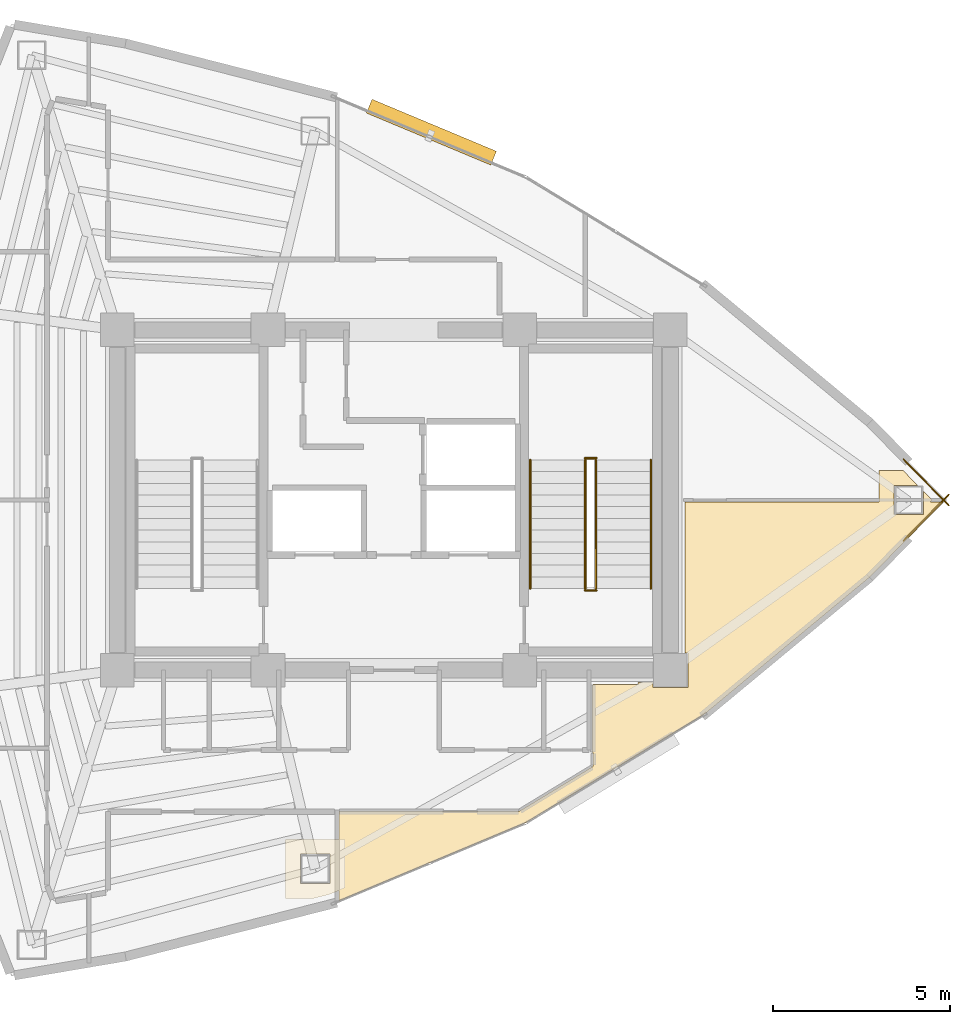
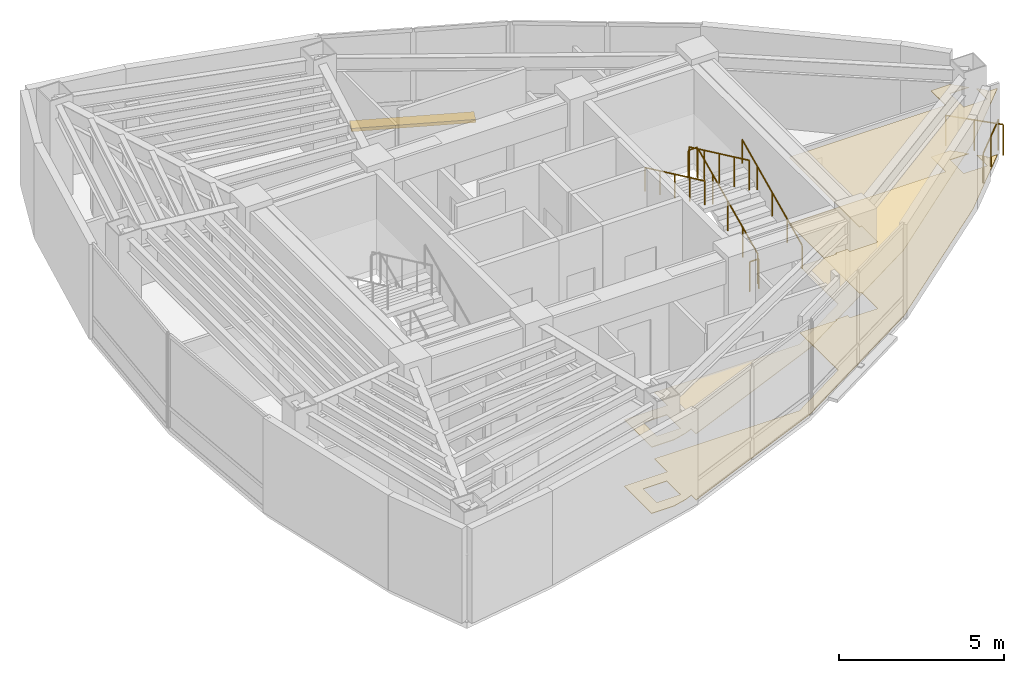
# One storey, part 15 of 15: 8 railings, 2 coverings, 1 shading device.
"""IFC4 building model written with IfcOpenShell, lengths in metres."""

from ifc_helpers import new_model, si_unit, direction, frame, origin, origin_2d, place, context, subcontext, project, spatial, polyline, rectangle, circle, outline, extrude, material, layer, layer_set, type_object, element, save


model = new_model("IFC4")

# Units and contexts
model_context = context("Model", 3, precision=1e-05, world=origin(), true_north=direction((0.0, 1.0)))
body_context = subcontext(model_context, "Body", "Model", "MODEL_VIEW")
ifc_project = project(units=[si_unit("LENGTHUNIT", "METRE"), si_unit("AREAUNIT", "SQUARE_METRE"), si_unit("VOLUMEUNIT", "CUBIC_METRE"), si_unit("PLANEANGLEUNIT", "RADIAN"), si_unit("MASSUNIT", "GRAM", prefix="KILO")], contexts=[model_context])

# Site, building, storey
site_placement = place(None, origin())
site = spatial("IfcSite", under=ifc_project, at=site_placement, CompositionType="ELEMENT")
building_placement = place(site_placement, origin())
building = spatial("IfcBuilding", under=site, at=building_placement, Name="Menara Vayukalpa", CompositionType="ELEMENT")
storey_placement = place(building_placement, frame((0.0, 0.0, 291.780029296875)))
storey = spatial("IfcBuildingStorey", under=building, at=storey_placement, Name="L74", CompositionType="ELEMENT", Elevation=291.780029296875)

# Coverings
ifc_material_1 = material(Name="Mineral Fibre Acoustic Ceiling Tile", Category="masonry")
ifc_layer_1 = layer(ifc_material_1, 0.02490234375)
ifc_layer_set_1 = layer_set([ifc_layer_1], Name="Mineral Fibre Acoustic Ceiling Tile")
covering_type_1 = type_object("IfcCoveringType", Name="COV-CLG1", PredefinedType="CEILING", material=ifc_layer_set_1)
covering_1_placement = place(storey_placement, frame((0.0, 0.0, 2.449951171875)))
element("IfcCovering", 1, at=covering_1_placement, inside=storey, type_object=covering_type_1, Name="L74 Visitor Reception Lounge Acoustic Ceiling", PredefinedType="CEILING", context=body_context, shape_type="SweptSolid", body=[
    extrude(outline(polyline([(24.06005859375, 13.2099609375), (24.06005859375, 13.2109375), (24.060302734375, 13.2119140625), (24.060302734375, 13.212890625), (24.060791015625, 13.2138671875), (24.061279296875, 13.214599609375), (24.061767578125, 13.215576171875), (24.062255859375, 13.21630859375), (24.06298828125, 13.217041015625), (24.063720703125, 13.2177734375), (24.064453125, 13.21826171875), (24.065185546875, 13.21875), (24.066162109375, 13.21923828125), (24.067138671875, 13.219482421875), (24.068115234375, 13.2197265625), (24.069091796875, 13.219970703125), (24.070068359375, 13.219970703125), (29.109619140625, 13.219970703125), (29.11669921875, 13.220458984375), (29.12353515625, 13.221435546875), (29.13037109375, 13.22314453125), (29.13720703125, 13.2255859375), (29.153076171875, 13.232177734375), (29.157958984375, 13.234375), (29.16259765625, 13.237060546875), (31.18603515625, 14.46630859375), (31.1923828125, 14.470458984375), (31.19775390625, 14.47509765625), (31.20263671875, 14.480224609375), (31.20703125, 14.48583984375), (31.2109375, 14.491943359375), (31.214111328125, 14.498291015625), (31.216552734375, 14.5048828125), (31.218505859375, 14.511962890625), (31.219482421875, 14.51904296875), (31.219970703125, 14.5263671875), (31.219970703125, 14.849609375), (31.219482421875, 14.856689453125), (31.21875, 14.86376953125), (31.217041015625, 14.870361328125), (31.214599609375, 14.876708984375), (31.2119140625, 14.8828125), (31.211669921875, 14.883056640625), (31.211181640625, 14.8837890625), (31.210693359375, 14.884765625), (31.21044921875, 14.8857421875), (31.210205078125, 14.88671875), (31.2099609375, 14.8876953125), (31.2099609375, 14.888671875), (31.2099609375, 16.780029296875), (31.2099609375, 16.781005859375), (31.210205078125, 16.781982421875), (31.21044921875, 16.782958984375), (31.210693359375, 16.78369140625), (31.211181640625, 16.78466796875), (31.211669921875, 16.78564453125), (31.21240234375, 16.786376953125), (31.212890625, 16.787109375), (31.213623046875, 16.78759765625), (31.21435546875, 16.788330078125), (31.21533203125, 16.788818359375), (31.21630859375, 16.789306640625), (31.217041015625, 16.78955078125), (31.218017578125, 16.789794921875), (31.218994140625, 16.7900390625), (31.219970703125, 16.7900390625), (32.489990234375, 16.7900390625), (32.489990234375, 16.85009765625), (32.909912109375, 16.85009765625), (32.909912109375, 16.7099609375), (33.889892578125, 16.7099609375), (33.889892578125, 17.68994140625), (33.81005859375, 17.68994140625), (33.81005859375, 21.929931640625), (33.81005859375, 21.930908203125), (33.810302734375, 21.931884765625), (33.810302734375, 21.932861328125), (33.810791015625, 21.933837890625), (33.811279296875, 21.934814453125), (33.811767578125, 21.935546875), (33.812255859375, 21.936279296875), (33.81298828125, 21.93701171875), (33.813720703125, 21.937744140625), (33.814453125, 21.938232421875), (33.815185546875, 21.938720703125), (33.816162109375, 21.939208984375), (33.817138671875, 21.939697265625), (33.818115234375, 21.939697265625), (33.819091796875, 21.93994140625), (33.820068359375, 21.93994140625), (39.286865234375, 21.93994140625), (39.286865234375, 22.8349609375), (39.959716796875, 22.8349609375), (40.3720703125, 22.4150390625), (39.706787109375, 22.4150390625), (39.706787109375, 21.5849609375), (40.536865234375, 21.5849609375), (40.536865234375, 22.2470703125), (40.779541015625, 22.0), (40.720703125, 21.93994140625), (41.0751953125, 21.93994140625), (41.076171875, 21.93994140625), (41.076904296875, 21.939697265625), (41.077880859375, 21.939697265625), (41.078857421875, 21.939208984375), (41.079833984375, 21.938720703125), (41.08056640625, 21.938232421875), (41.081298828125, 21.937744140625), (41.08203125, 21.93701171875), (41.082763671875, 21.936279296875), (41.08349609375, 21.935546875), (41.083984375, 21.934814453125), (41.084228515625, 21.933837890625), (41.084716796875, 21.93310546875), (41.0849609375, 21.931884765625), (41.0849609375, 21.930908203125), (41.085205078125, 21.93017578125), (41.085205078125, 21.92919921875), (41.0849609375, 21.927978515625), (41.084716796875, 21.92724609375), (41.08447265625, 21.92626953125), (41.083984375, 21.92529296875), (41.08349609375, 21.924560546875), (41.0830078125, 21.923583984375), (41.082275390625, 21.923095703125), (39.021240234375, 19.82373046875), (39.0205078125, 19.822998046875), (34.374755859375, 15.97021484375), (34.37353515625, 15.969482421875), (29.3271484375, 12.904052734375), (29.326416015625, 12.90380859375), (29.32568359375, 12.9033203125), (24.073974609375, 10.70654296875), (24.072998046875, 10.7060546875), (24.072021484375, 10.705810546875), (24.071044921875, 10.705810546875), (24.070068359375, 10.705810546875), (24.069091796875, 10.705810546875), (24.068115234375, 10.705810546875), (24.067138671875, 10.7060546875), (24.066162109375, 10.70654296875), (24.065185546875, 10.706787109375), (24.064453125, 10.70751953125), (24.063720703125, 10.7080078125), (24.06298828125, 10.70849609375), (24.062255859375, 10.709228515625), (24.061767578125, 10.710205078125), (24.061279296875, 10.7109375), (24.060791015625, 10.7119140625), (24.060302734375, 10.712890625), (24.060302734375, 10.713623046875), (24.06005859375, 10.714599609375), (24.06005859375, 10.7158203125), (24.06005859375, 10.993408203125), (23.7919921875, 10.881103515625), (23.3173828125, 10.76025390625), (22.546875, 10.76025390625), (22.546875, 12.43017578125), (24.06005859375, 12.43017578125), (24.06005859375, 13.2099609375)]), holes=[polyline([(23.796875, 12.01025390625), (22.966796875, 12.01025390625), (22.966796875, 11.18017578125), (23.796875, 11.18017578125), (23.796875, 12.01025390625)])]), origin(), (0.0, 0.0, 1.0), 0.02490234375),
])
ifc_material_2 = material(Name="Porcelain Stoneware Floor Tile", Category="masonry")
ifc_layer_2 = layer(ifc_material_2, 0.02001953125)
ifc_layer_set_2 = layer_set([ifc_layer_2], Name="Porcelain Stoneware Floor Tile")
covering_type_2 = type_object("IfcCoveringType", Name="COV-FLR1", PredefinedType="FLOORING", material=ifc_layer_set_2)
covering_2_placement = place(storey_placement, origin())
element("IfcCovering", 2, at=covering_2_placement, inside=storey, type_object=covering_type_2, Name="L74 Visitor Reception Lounge Porcelain Flooring", PredefinedType="FLOORING", context=body_context, shape_type="SweptSolid", body=[
    extrude(outline(polyline([(24.06005859375, 13.2099609375), (24.06005859375, 13.2109375), (24.060302734375, 13.2119140625), (24.060302734375, 13.212890625), (24.060791015625, 13.2138671875), (24.061279296875, 13.214599609375), (24.061767578125, 13.215576171875), (24.062255859375, 13.21630859375), (24.06298828125, 13.217041015625), (24.063720703125, 13.2177734375), (24.064453125, 13.21826171875), (24.065185546875, 13.21875), (24.066162109375, 13.21923828125), (24.067138671875, 13.219482421875), (24.068115234375, 13.2197265625), (24.069091796875, 13.219970703125), (24.070068359375, 13.219970703125), (29.109619140625, 13.219970703125), (29.11669921875, 13.220458984375), (29.12353515625, 13.221435546875), (29.13037109375, 13.22314453125), (29.13720703125, 13.2255859375), (29.153076171875, 13.232177734375), (29.157958984375, 13.234375), (29.16259765625, 13.237060546875), (31.18603515625, 14.46630859375), (31.1923828125, 14.470458984375), (31.19775390625, 14.47509765625), (31.20263671875, 14.480224609375), (31.20703125, 14.48583984375), (31.2109375, 14.491943359375), (31.214111328125, 14.498291015625), (31.216552734375, 14.5048828125), (31.218505859375, 14.511962890625), (31.219482421875, 14.51904296875), (31.219970703125, 14.5263671875), (31.219970703125, 14.849609375), (31.219482421875, 14.856689453125), (31.21875, 14.86376953125), (31.217041015625, 14.870361328125), (31.214599609375, 14.876708984375), (31.2119140625, 14.8828125), (31.211669921875, 14.883056640625), (31.211181640625, 14.8837890625), (31.210693359375, 14.884765625), (31.21044921875, 14.8857421875), (31.210205078125, 14.88671875), (31.2099609375, 14.8876953125), (31.2099609375, 14.888671875), (31.2099609375, 16.780029296875), (31.2099609375, 16.781005859375), (31.210205078125, 16.781982421875), (31.21044921875, 16.782958984375), (31.210693359375, 16.78369140625), (31.211181640625, 16.78466796875), (31.211669921875, 16.78564453125), (31.21240234375, 16.786376953125), (31.212890625, 16.787109375), (31.213623046875, 16.78759765625), (31.21435546875, 16.788330078125), (31.21533203125, 16.788818359375), (31.21630859375, 16.789306640625), (31.217041015625, 16.78955078125), (31.218017578125, 16.789794921875), (31.218994140625, 16.7900390625), (31.219970703125, 16.7900390625), (32.489990234375, 16.7900390625), (32.489990234375, 16.85009765625), (32.909912109375, 16.85009765625), (32.909912109375, 16.7099609375), (33.889892578125, 16.7099609375), (33.889892578125, 17.68994140625), (33.81005859375, 17.68994140625), (33.81005859375, 21.929931640625), (33.81005859375, 21.930908203125), (33.810302734375, 21.931884765625), (33.810302734375, 21.932861328125), (33.810791015625, 21.933837890625), (33.811279296875, 21.934814453125), (33.811767578125, 21.935546875), (33.812255859375, 21.936279296875), (33.81298828125, 21.93701171875), (33.813720703125, 21.937744140625), (33.814453125, 21.938232421875), (33.815185546875, 21.938720703125), (33.816162109375, 21.939208984375), (33.817138671875, 21.939697265625), (33.818115234375, 21.939697265625), (33.819091796875, 21.93994140625), (33.820068359375, 21.93994140625), (39.286865234375, 21.93994140625), (39.286865234375, 22.8349609375), (39.959716796875, 22.8349609375), (40.3720703125, 22.4150390625), (39.706787109375, 22.4150390625), (39.706787109375, 21.5849609375), (40.536865234375, 21.5849609375), (40.536865234375, 22.2470703125), (40.779541015625, 22.0), (40.720703125, 21.93994140625), (41.0751953125, 21.93994140625), (41.076171875, 21.93994140625), (41.076904296875, 21.939697265625), (41.077880859375, 21.939697265625), (41.078857421875, 21.939208984375), (41.079833984375, 21.938720703125), (41.08056640625, 21.938232421875), (41.081298828125, 21.937744140625), (41.08203125, 21.93701171875), (41.082763671875, 21.936279296875), (41.08349609375, 21.935546875), (41.083984375, 21.934814453125), (41.084228515625, 21.933837890625), (41.084716796875, 21.93310546875), (41.0849609375, 21.931884765625), (41.0849609375, 21.930908203125), (41.085205078125, 21.93017578125), (41.085205078125, 21.92919921875), (41.0849609375, 21.927978515625), (41.084716796875, 21.92724609375), (41.08447265625, 21.92626953125), (41.083984375, 21.92529296875), (41.08349609375, 21.924560546875), (41.0830078125, 21.923583984375), (41.082275390625, 21.923095703125), (39.021240234375, 19.82373046875), (39.0205078125, 19.822998046875), (34.374755859375, 15.97021484375), (34.37353515625, 15.969482421875), (29.3271484375, 12.904052734375), (29.326416015625, 12.90380859375), (29.32568359375, 12.9033203125), (24.073974609375, 10.70654296875), (24.072998046875, 10.7060546875), (24.072021484375, 10.705810546875), (24.071044921875, 10.705810546875), (24.070068359375, 10.705810546875), (24.069091796875, 10.705810546875), (24.068115234375, 10.705810546875), (24.067138671875, 10.7060546875), (24.066162109375, 10.70654296875), (24.065185546875, 10.706787109375), (24.064453125, 10.70751953125), (24.063720703125, 10.7080078125), (24.06298828125, 10.70849609375), (24.062255859375, 10.709228515625), (24.061767578125, 10.710205078125), (24.061279296875, 10.7109375), (24.060791015625, 10.7119140625), (24.060302734375, 10.712890625), (24.060302734375, 10.713623046875), (24.06005859375, 10.714599609375), (24.06005859375, 10.7158203125), (24.06005859375, 10.993408203125), (23.7919921875, 10.881103515625), (23.3173828125, 10.76025390625), (22.546875, 10.76025390625), (22.546875, 12.43017578125), (24.06005859375, 12.43017578125), (24.06005859375, 13.2099609375)]), holes=[polyline([(23.796875, 12.01025390625), (22.966796875, 12.01025390625), (22.966796875, 11.18017578125), (23.796875, 11.18017578125), (23.796875, 12.01025390625)])]), origin(), (0.0, 0.0, 1.0), 0.02001953125),
])

# Railings
ifc_material_3 = material(Name="Laminated Glass and Stainless Steel 316 Guardrail", Category="steel")
railing_type_1 = type_object("IfcRailingType", Name="RLG-EXT115", PredefinedType="GUARDRAIL", material=ifc_material_3)
railing_1_placement = place(storey_placement, frame((39.976318359375, 20.853515625, 0.0)))
element("IfcRailing", 3, at=railing_1_placement, inside=storey, type_object=railing_type_1, Name="L74 Column Corner Spandrel Guardrail 01-1", PredefinedType="GUARDRAIL", context=body_context, shape_type="SweptSolid", body=[
    extrude(circle(Radius=0.02392578125, at=origin_2d()), frame((0.0, 0.0, 1.1259765625), z_axis=(0.700555224103, 0.713598190848, 0.0), x_axis=(-0.713598190848, 0.700555224103, 0.0)), (0.0, 0.0, 1.0), 1.815673828125),
    extrude(circle(Radius=0.02099609375, at=origin_2d()), origin(), (0.0, 0.0, 1.0), 1.101806640625),
    extrude(circle(Radius=0.02099609375, at=origin_2d()), frame((0.635986328125, 0.64794921875, 0.0)), (0.0, 0.0, 1.0), 1.101806640625),
    extrude(circle(Radius=0.02099609375, at=origin_2d()), frame((1.27197265625, 1.295654296875, 0.0)), (0.0, 0.0, 1.0), 1.101806640625),
])
railing_2_placement = place(storey_placement, frame((41.248291015625, 21.850830078125, 0.0)))
element("IfcRailing", 4, at=railing_2_placement, inside=storey, type_object=railing_type_1, Name="L74 Column Corner Spandrel Guardrail 02-1", PredefinedType="GUARDRAIL", context=body_context, shape_type="SweptSolid", body=[
    extrude(circle(Radius=0.02392578125, at=origin_2d()), frame((0.0, 0.0, 1.1259765625), z_axis=(-0.700555224103, 0.713598190848, 0.0), x_axis=(-0.713598190848, -0.700555224103, 0.0)), (0.0, 0.0, 1.0), 1.815673828125),
    extrude(circle(Radius=0.02099609375, at=origin_2d()), origin(), (0.0, 0.0, 1.0), 1.101806640625),
    extrude(circle(Radius=0.02099609375, at=origin_2d()), frame((-0.635986328125, 0.64794921875, 0.0)), (0.0, 0.0, 1.0), 1.101806640625),
    extrude(circle(Radius=0.02099609375, at=origin_2d()), frame((-1.27197265625, 1.295654296875, 0.0)), (0.0, 0.0, 1.0), 1.101806640625),
])
ifc_material_4 = material(Name="Powder-Coated Galvanised Steel Guardrail", Category="steel")
railing_type_2 = type_object("IfcRailingType", Name="RLG-STG110", PredefinedType="GUARDRAIL", material=ifc_material_4)
railing_3_placement = place(storey_placement, frame((31.300048828125, 19.5, 0.155029296875)))
element("IfcRailing", 5, at=railing_3_placement, inside=storey, type_object=railing_type_2, Name="L74 ST-2 stair guard 1", PredefinedType="GUARDRAIL", context=body_context, shape_type="SweptSolid", body=[
    extrude(circle(Radius=0.02392578125, at=origin_2d()), frame((0.0, 0.0, 1.09619140625), z_axis=(0.0, 0.90513990983, 0.425113800803), x_axis=(-1.0, 0.0, 0.0)), (0.0, 0.0, 1.0), 4.01025390625),
    extrude(circle(Radius=0.02099609375, at=origin_2d()), origin(), (0.0, 0.0, 1.0), 1.072021484375),
    extrude(circle(Radius=0.02099609375, at=origin_2d()), frame((0.0, 0.907470703125, 0.42626953125)), (0.0, 0.0, 1.0), 1.072021484375),
    extrude(circle(Radius=0.02099609375, at=origin_2d()), frame((0.0, 1.81494140625, 0.8525390625)), (0.0, 0.0, 1.0), 1.072021484375),
    extrude(circle(Radius=0.02099609375, at=origin_2d()), frame((0.0, 2.722412109375, 1.278564453125)), (0.0, 0.0, 1.0), 1.072021484375),
    extrude(circle(Radius=0.02099609375, at=origin_2d()), frame((0.0, 3.6298828125, 1.704833984375)), (0.0, 0.0, 1.0), 1.072021484375),
])
railing_4_placement = place(storey_placement, frame((31.31005859375, 23.179931640625, 1.85986328125)))
element("IfcRailing", 6, at=railing_4_placement, inside=storey, type_object=railing_type_2, Name="L74 ST-2 stair guard 2", PredefinedType="GUARDRAIL", context=body_context, shape_type="SweptSolid", body=[
    extrude(circle(Radius=0.02392578125, at=origin_2d()), frame((0.0, 0.0, 1.09619140625), z_axis=(-1.0, 0.0, 0.0), x_axis=(0.0, -1.0, 0.0)), (0.0, 0.0, 1.0), 0.320068359375),
    extrude(circle(Radius=0.02099609375, at=origin_2d()), origin(), (0.0, 0.0, 1.0), 1.072021484375),
    extrude(circle(Radius=0.02099609375, at=origin_2d()), frame((-0.320068359375, 0.0, 0.0)), (0.0, 0.0, 1.0), 1.072021484375),
])
railing_5_placement = place(storey_placement, frame((31.0, 23.1298828125, 2.014892578125)))
element("IfcRailing", 7, at=railing_5_placement, inside=storey, type_object=railing_type_2, Name="L74 ST-2 stair guard 3", PredefinedType="GUARDRAIL", context=body_context, shape_type="SweptSolid", body=[
    extrude(circle(Radius=0.02392578125, at=origin_2d()), frame((0.0, 0.0, 1.09619140625), z_axis=(0.0, -0.90511648382, 0.425163675209), x_axis=(1.0, 0.0, 0.0)), (0.0, 0.0, 1.0), 4.010498046875),
    extrude(circle(Radius=0.02099609375, at=origin_2d()), origin(), (0.0, 0.0, 1.0), 1.072021484375),
    extrude(circle(Radius=0.02099609375, at=origin_2d()), frame((0.0, -0.907470703125, 0.42626953125)), (0.0, 0.0, 1.0), 1.072021484375),
    extrude(circle(Radius=0.02099609375, at=origin_2d()), frame((0.0, -1.81494140625, 0.8525390625)), (0.0, 0.0, 1.0), 1.072021484375),
    extrude(circle(Radius=0.02099609375, at=origin_2d()), frame((0.0, -2.722412109375, 1.27880859375)), (0.0, 0.0, 1.0), 1.072021484375),
    extrude(circle(Radius=0.02099609375, at=origin_2d()), frame((0.0, -3.6298828125, 1.705078125)), (0.0, 0.0, 1.0), 1.072021484375),
])
railing_6_placement = place(storey_placement, frame((31.31005859375, 19.449951171875, 0.0)))
element("IfcRailing", 8, at=railing_6_placement, inside=storey, type_object=railing_type_2, Name="L74 ST-2 stair guard 4", PredefinedType="GUARDRAIL", context=body_context, shape_type="SweptSolid", body=[
    extrude(circle(Radius=0.02392578125, at=origin_2d()), frame((0.0, 0.0, 1.09619140625), z_axis=(-1.0, 0.0, 0.0), x_axis=(0.0, -1.0, 0.0)), (0.0, 0.0, 1.0), 0.320068359375),
    extrude(circle(Radius=0.02099609375, at=origin_2d()), origin(), (0.0, 0.0, 1.0), 1.072021484375),
    extrude(circle(Radius=0.02099609375, at=origin_2d()), frame((-0.320068359375, 0.0, 0.0)), (0.0, 0.0, 1.0), 1.072021484375),
])
ifc_material_5 = material(Name="Stainless Steel 316 Tubular Handrail", Category="steel")
railing_type_3 = type_object("IfcRailingType", Name="RLG-STH090", PredefinedType="HANDRAIL", material=ifc_material_5)
railing_7_placement = place(storey_placement, frame((32.85009765625, 19.5, 0.155029296875)))
element("IfcRailing", 9, at=railing_7_placement, inside=storey, type_object=railing_type_3, Name="L74 ST-2 stair handrail 1", PredefinedType="HANDRAIL", context=body_context, shape_type="SweptSolid", body=[
    extrude(circle(Radius=0.02392578125, at=origin_2d()), frame((0.0, 0.0, 0.8759765625), z_axis=(0.0, 0.90513990983, 0.425113800803), x_axis=(-1.0, 0.0, 0.0)), (0.0, 0.0, 1.0), 4.01025390625),
    extrude(circle(Radius=0.02099609375, at=origin_2d()), origin(), (0.0, 0.0, 1.0), 0.851806640625),
    extrude(circle(Radius=0.02099609375, at=origin_2d()), frame((0.0, 0.907470703125, 0.42626953125)), (0.0, 0.0, 1.0), 0.851806640625),
    extrude(circle(Radius=0.02099609375, at=origin_2d()), frame((0.0, 1.81494140625, 0.8525390625)), (0.0, 0.0, 1.0), 0.851806640625),
    extrude(circle(Radius=0.02099609375, at=origin_2d()), frame((0.0, 2.722412109375, 1.278564453125)), (0.0, 0.0, 1.0), 0.851806640625),
    extrude(circle(Radius=0.02099609375, at=origin_2d()), frame((0.0, 3.6298828125, 1.704833984375)), (0.0, 0.0, 1.0), 0.851806640625),
])
railing_8_placement = place(storey_placement, frame((29.449951171875, 23.1298828125, 2.014892578125)))
element("IfcRailing", 10, at=railing_8_placement, inside=storey, type_object=railing_type_3, Name="L74 ST-2 stair handrail 2", PredefinedType="HANDRAIL", context=body_context, shape_type="SweptSolid", body=[
    extrude(circle(Radius=0.02392578125, at=origin_2d()), frame((0.0, 0.0, 0.8759765625), z_axis=(0.0, -0.90511648382, 0.425163675209), x_axis=(1.0, 0.0, 0.0)), (0.0, 0.0, 1.0), 4.010498046875),
    extrude(circle(Radius=0.02099609375, at=origin_2d()), origin(), (0.0, 0.0, 1.0), 0.851806640625),
    extrude(circle(Radius=0.02099609375, at=origin_2d()), frame((0.0, -0.907470703125, 0.42626953125)), (0.0, 0.0, 1.0), 0.851806640625),
    extrude(circle(Radius=0.02099609375, at=origin_2d()), frame((0.0, -1.81494140625, 0.8525390625)), (0.0, 0.0, 1.0), 0.851806640625),
    extrude(circle(Radius=0.02099609375, at=origin_2d()), frame((0.0, -2.722412109375, 1.27880859375)), (0.0, 0.0, 1.0), 0.851806640625),
    extrude(circle(Radius=0.02099609375, at=origin_2d()), frame((0.0, -3.6298828125, 1.705078125)), (0.0, 0.0, 1.0), 0.851806640625),
])

# Shading device
ifc_material_6 = material(Name="Glazed Terracotta Ceramic Baguette Extrusion", Category="masonry")
ifc_layer_3 = layer(ifc_material_6, 0.1201171875)
ifc_layer_set_3 = layer_set([ifc_layer_3], Name="Glazed Terracotta Ceramic Baguette Extrusion")
shading_device_type = type_object("IfcShadingDeviceType", Name="SHD-SS1", PredefinedType="USERDEFINED", material=ifc_layer_set_3)
shading_device_placement = place(storey_placement, frame((26.66015625, 32.374267578125, -0.10009765625), z_axis=(0.0, 0.0, 1.0), x_axis=(-0.922538089456, 0.385906042324, 0.0)))
element("IfcShadingDevice", 11, at=shading_device_placement, inside=storey, type_object=shading_device_type, Name="L74 Horizontal Terracotta Sunshade Band 05", ObjectType="SUNSHADE", PredefinedType="USERDEFINED", context=body_context, shape_type="SweptSolid", body=[
    extrude(rectangle(XDim=3.800048828125, YDim=0.419921875, at=origin_2d()), origin(), (0.0, 0.0, 1.0), 0.1201171875),
])

save(model, "model.ifc")
